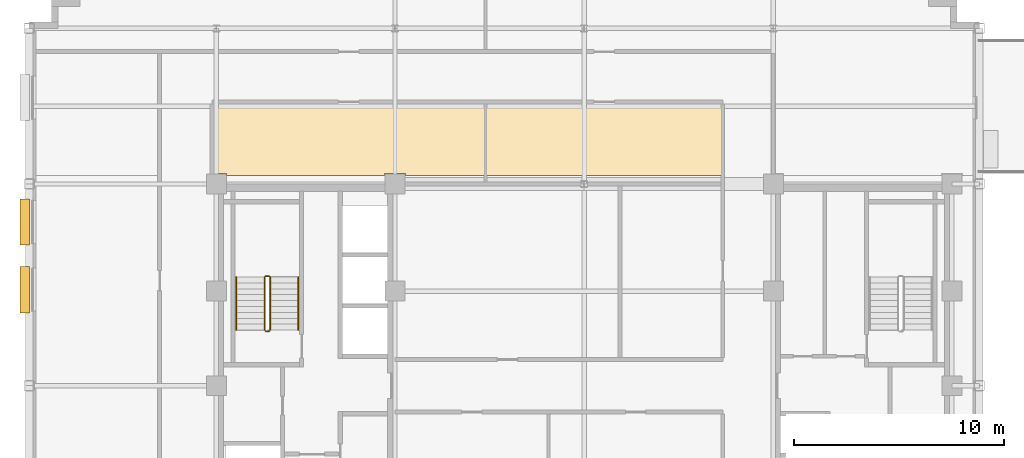
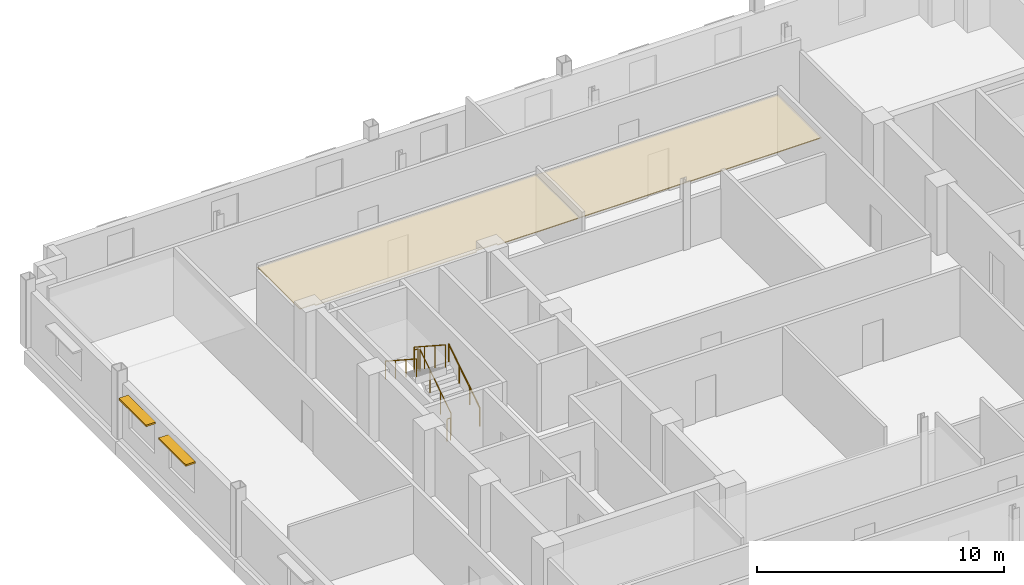
# One storey, part 11 of 13: 6 railings, 2 coverings, 2 shading devices.
"""IFC4 building model written with IfcOpenShell, lengths in metres."""

import ifcopenshell
import ifcopenshell.guid

model = None  # the IFC model being written
_history = None  # IfcOwnerHistory: only IFC2X3 demands one
_inside = {}  # id of a spatial element -> (the spatial element, [elements in it])
_under = {}  # id of a project, library or spatial element -> (it, [spatial elements below it])
_declared = {}  # id of a project -> (the project, [libraries it declares])
_typed = {}  # id of a type object -> (the type object, [elements of that type])
_made_of = {}  # id of a material, layer set ... -> (it, [elements and type objects made of it])


def new_model(schema):
    """Start an empty IFC model of exactly this schema.

    Asked for "IFC4X3", IfcOpenShell would pick the latest addendum, in which some entities
    have other attributes; the version numbers below select the first issue.
    IFC2X3 requires an IfcOwnerHistory on every rooted entity: one is made here for all.
    """
    global model, _history
    if schema == "IFC4X3":
        model = ifcopenshell.file(schema_version=(4, 3, 0, 0))
    else:
        model = ifcopenshell.file(schema=schema)
    _inside.clear()
    _under.clear()
    _declared.clear()
    _typed.clear()
    _made_of.clear()
    _history = None
    if model.schema == "IFC2X3":
        org = make("IfcOrganization", Name="unknown")
        user = make(
            "IfcPersonAndOrganization",
            ThePerson=make("IfcPerson", FamilyName="unknown"),
            TheOrganization=org,
        )
        app = make(
            "IfcApplication",
            ApplicationDeveloper=org,
            Version="unknown",
            ApplicationFullName="unknown",
            ApplicationIdentifier="unknown",
        )
        _history = make(
            "IfcOwnerHistory",
            OwningUser=user,
            OwningApplication=app,
            ChangeAction="ADDED",
            CreationDate=0,
        )
    return model


def make(cls, **values):
    """One entity of the class cls with the attributes given. An attribute that is None is left unset."""
    return model.create_entity(
        cls, **{name: value for name, value in values.items() if value is not None}
    )


def rooted(cls, **values):
    """An entity with a GlobalId (a new one), such as an element, a storey or a relation."""
    return make(cls, GlobalId=ifcopenshell.guid.new(), OwnerHistory=_history, **values)


def si_unit(unit_type, name, prefix=None):
    """IfcSIUnit, for example si_unit("LENGTHUNIT", "METRE", prefix="MILLI")."""
    return make("IfcSIUnit", UnitType=unit_type, Prefix=prefix, Name=name)


def assignment(units):
    """IfcUnitAssignment: the units of a project."""
    return None if units is None else make("IfcUnitAssignment", Units=units)


def point(xyz):
    """IfcCartesianPoint."""
    return None if xyz is None else make("IfcCartesianPoint", Coordinates=xyz)


def direction(xyz):
    """IfcDirection."""
    return None if xyz is None else make("IfcDirection", DirectionRatios=xyz)


def frame(location, z_axis=None, x_axis=None):
    """IfcAxis2Placement3D, a coordinate frame: its origin and axes. An axis left out is left unset."""
    return make(
        "IfcAxis2Placement3D",
        Location=point(location),
        Axis=direction(z_axis),
        RefDirection=direction(x_axis),
    )


def frame_2d(location, x_axis=None):
    """IfcAxis2Placement2D, a coordinate frame in the plane: its origin and x axis."""
    return make(
        "IfcAxis2Placement2D", Location=point(location), RefDirection=direction(x_axis)
    )


def origin():
    """The frame at (0, 0, 0) with its axes left unset."""
    return frame((0.0, 0.0, 0.0))


def origin_2d():
    """The frame at (0, 0) in the plane with its x axis left unset."""
    return frame_2d((0.0, 0.0))


def place(relative_to, where):
    """IfcLocalPlacement: puts the frame where relative to a parent placement (None: the world)."""
    return make(
        "IfcLocalPlacement", PlacementRelTo=relative_to, RelativePlacement=where
    )


def context(
    kind, dimensions, precision=None, world=None, true_north=None, identifier=None
):
    """IfcGeometricRepresentationContext, for example the 3D "Model" context."""
    return make(
        "IfcGeometricRepresentationContext",
        ContextIdentifier=identifier,
        ContextType=kind,
        CoordinateSpaceDimension=dimensions,
        Precision=precision,
        WorldCoordinateSystem=world,
        TrueNorth=true_north,
    )


def subcontext(parent, identifier, kind, view, scale=None):
    """IfcGeometricRepresentationSubContext, for example "Body" below "Model"."""
    return make(
        "IfcGeometricRepresentationSubContext",
        ContextIdentifier=identifier,
        ContextType=kind,
        ParentContext=parent,
        TargetScale=scale,
        TargetView=view,
    )


def project(units=None, contexts=None):
    """IfcProject with its units and contexts."""
    return rooted(
        "IfcProject",
        Name="project",
        RepresentationContexts=contexts,
        UnitsInContext=assignment(units),
    )


def spatial(cls, under=None, at=None, **own):
    """A site, building, storey or space (cls), placed at a placement, below another one or the project."""
    s = rooted(cls, ObjectPlacement=at, **own)
    if under is not None:
        _under.setdefault(under.id(), (under, []))[1].append(s)
    return s


def polyline(points):
    """IfcPolyline through the points."""
    return make("IfcPolyline", Points=[point(p) for p in points])


def profile(cls, at=None, kind="AREA", **sizes):
    """A parametric profile (cls). Its sizes go by their IFC names, for example OverallWidth=200.0."""
    return make(cls, ProfileType=kind, Position=at, **sizes)


def rectangle(**sizes):
    """IfcRectangleProfileDef."""
    return profile("IfcRectangleProfileDef", **sizes)


def circle(**sizes):
    """IfcCircleProfileDef."""
    return profile("IfcCircleProfileDef", **sizes)


def outline(outer, holes=None, kind="AREA"):
    """IfcArbitraryClosedProfileDef: a profile drawn as a closed curve; with holes, ...WithVoids."""
    if holes is None:
        return make("IfcArbitraryClosedProfileDef", ProfileType=kind, OuterCurve=outer)
    return make(
        "IfcArbitraryProfileDefWithVoids",
        ProfileType=kind,
        OuterCurve=outer,
        InnerCurves=holes,
    )


def extrude(swept, where, along, depth):
    """IfcExtrudedAreaSolid: the profile swept, set in the frame where, extruded along a direction by depth."""
    return make(
        "IfcExtrudedAreaSolid",
        SweptArea=swept,
        Position=where,
        ExtrudedDirection=direction(along),
        Depth=depth,
    )


def shape(context_of_items, identifier, shape_type, items):
    """IfcShapeRepresentation: the items that make up one representation, for example the "Body"."""
    return make(
        "IfcShapeRepresentation",
        ContextOfItems=context_of_items,
        RepresentationIdentifier=identifier,
        RepresentationType=shape_type,
        Items=items,
    )


def source(mapping_origin, context_of_items, identifier, shape_type, items):
    """IfcRepresentationMap: a shape defined once, which mapped items show again and again."""
    return make(
        "IfcRepresentationMap",
        MappingOrigin=mapping_origin,
        MappedRepresentation=shape(context_of_items, identifier, shape_type, items),
    )


def transform(
    local_origin,
    x_axis=None,
    y_axis=None,
    z_axis=None,
    scale=None,
    scale2=None,
    scale3=None,
    uniform=True,
):
    """IfcCartesianTransformationOperator3D, or its non-uniform kind. x_axis, y_axis, z_axis: its Axis1, 2, 3."""
    if uniform:
        return make(
            "IfcCartesianTransformationOperator3D",
            Axis1=direction(x_axis),
            Axis2=direction(y_axis),
            LocalOrigin=point(local_origin),
            Scale=scale,
            Axis3=direction(z_axis),
        )
    return make(
        "IfcCartesianTransformationOperator3DnonUniform",
        Axis1=direction(x_axis),
        Axis2=direction(y_axis),
        LocalOrigin=point(local_origin),
        Scale=scale,
        Axis3=direction(z_axis),
        Scale2=scale2,
        Scale3=scale3,
    )


def mapped(mapping_source, mapping_target):
    """IfcMappedItem: shows the shape of a source again, moved by a transform."""
    return make(
        "IfcMappedItem", MappingSource=mapping_source, MappingTarget=mapping_target
    )


def material(Name=None, Category=None):
    """IfcMaterial."""
    return make("IfcMaterial", Name=Name, Category=Category)


def layer(
    of_material, thickness, ventilated=None, Name=None, Category=None, Priority=None
):
    """IfcMaterialLayer: one layer of a wall or slab, of a material (None: an air gap)."""
    return make(
        "IfcMaterialLayer",
        Material=of_material,
        LayerThickness=thickness,
        IsVentilated=ventilated,
        Name=Name,
        Category=Category,
        Priority=Priority,
    )


def layer_set(layers, Name=None):
    """IfcMaterialLayerSet."""
    return make("IfcMaterialLayerSet", MaterialLayers=layers, LayerSetName=Name)


def made_of(thing, what):
    """Note that an element or type object is made of a material, layer set ...; save() writes the relation."""
    if what is not None:
        _made_of.setdefault(what.id(), (what, []))[1].append(thing)
    return thing


def type_object(cls, material=None, **own):
    """A type object (cls), such as IfcWallType, which elements share."""
    return made_of(rooted(cls, **own), material)


def type_shapes(of_type, sources):
    """Give a type object the sources (RepresentationMaps) that its elements show as mapped items."""
    of_type.RepresentationMaps = sources


def element(
    cls,
    number,
    at=None,
    inside=None,
    cuts=None,
    type_object=None,
    material=None,
    context=None,
    identifier="Body",
    shape_type=None,
    held_by="IfcProductDefinitionShape",
    body=None,
    shapes=None,
    **own,
):
    """One element of the class cls, such as IfcWall. Its Tag is "e" and its number.

    at: its placement. inside: the storey or other place that contains it. cuts: it is an
    opening in that element (IfcRelVoidsElement). A single representation is given by context,
    identifier, shape_type and body (its items); several are given by shapes. held_by: the class
    of the entity that holds the representations. save() writes the other relations.
    """
    e = rooted(cls, Tag="e%d" % number, ObjectPlacement=at, **own)
    if body is not None:
        shapes = [shape(context, identifier, shape_type, body)]
    if shapes is not None:
        e.Representation = make(held_by, Representations=shapes)
    if inside is not None:
        _inside.setdefault(inside.id(), (inside, []))[1].append(e)
    if cuts is not None:
        rooted(
            "IfcRelVoidsElement", RelatingBuildingElement=cuts, RelatedOpeningElement=e
        )
    if type_object is not None:
        _typed.setdefault(type_object.id(), (type_object, []))[1].append(e)
    return made_of(e, material)


def aggregate(whole, parts):
    """IfcRelAggregates: a whole, such as a stair, and the parts it consists of."""
    return rooted("IfcRelAggregates", RelatingObject=whole, RelatedObjects=parts)


def save(model, path):
    """Write the relations noted so far, then the file.

    IfcRelAggregates (storeys below a building ...), IfcRelContainedInSpatialStructure (elements
    in a storey), IfcRelDefinesByType, IfcRelAssociatesMaterial and IfcRelDeclares: one each for
    every whole, place, type object, material and project.
    """
    for whole, parts in _under.values():
        aggregate(whole, parts)
    for where, things in _inside.values():
        rooted(
            "IfcRelContainedInSpatialStructure",
            RelatedElements=things,
            RelatingStructure=where,
        )
    for kind, things in _typed.values():
        rooted("IfcRelDefinesByType", RelatedObjects=things, RelatingType=kind)
    for what, things in _made_of.values():
        rooted("IfcRelAssociatesMaterial", RelatedObjects=things, RelatingMaterial=what)
    for by, libraries in _declared.values():
        rooted("IfcRelDeclares", RelatingContext=by, RelatedDefinitions=libraries)
    model.write(path)


model = new_model("IFC4")

# Units and contexts
model_context = context("Model", 3, precision=1e-05, world=origin(), true_north=direction((0.0, 1.0)))
body_context = subcontext(model_context, "Body", "Model", "MODEL_VIEW")
ifc_project = project(units=[si_unit("LENGTHUNIT", "METRE"), si_unit("AREAUNIT", "SQUARE_METRE"), si_unit("VOLUMEUNIT", "CUBIC_METRE"), si_unit("PLANEANGLEUNIT", "RADIAN"), si_unit("MASSUNIT", "GRAM", prefix="KILO")], contexts=[model_context])

# Site, building, storey
site_placement = place(None, origin())
site = spatial("IfcSite", under=ifc_project, at=site_placement, CompositionType="ELEMENT")
building_placement = place(site_placement, origin())
building = spatial("IfcBuilding", under=site, at=building_placement, Name="Nuvemarco Arch Tower", CompositionType="ELEMENT")
storey_placement = place(building_placement, frame((0.0, 0.0, 220.10009765625)))
storey = spatial("IfcBuildingStorey", under=building, at=storey_placement, Name="L58", CompositionType="ELEMENT", Elevation=220.10009765625)

# Coverings
ifc_material_1 = material(Name="Mineral acoustic ceiling tile")
ifc_layer = layer(ifc_material_1, 0.0400390625, Name="COV-ACOUSTIC-CLG")
ifc_layer_set = layer_set([ifc_layer], Name="Mineral acoustic ceiling tile")
covering_type = type_object("IfcCoveringType", Name="COV-ACOUSTIC-CLG", PredefinedType="CEILING", material=ifc_layer_set)
covering_1_placement = place(storey_placement, frame((0.0, 0.0, 2.849853515625)))
element("IfcCovering", 1, at=covering_1_placement, inside=storey, type_object=covering_type, Name="L58 suspended acoustic ceiling 5", PredefinedType="CEILING", context=body_context, shape_type="SweptSolid", body=[
    extrude(outline(polyline([(-4.68994140625, 13.5), (-4.68994140625, 10.0), (-8.510009765625, 10.0), (-8.510009765625, 10.090087890625), (-9.489990234375, 10.090087890625), (-9.489990234375, 10.0), (-17.010009765625, 10.0), (-17.010009765625, 10.090087890625), (-17.699951171875, 10.090087890625), (-17.699951171875, 13.5), (-4.68994140625, 13.5)])), origin(), (0.0, 0.0, 1.0), 0.0400390625),
])
covering_2_placement = place(storey_placement, frame((0.0, 0.0, 2.849853515625)))
element("IfcCovering", 2, at=covering_2_placement, inside=storey, type_object=covering_type, Name="L58 suspended acoustic ceiling 7", PredefinedType="CEILING", context=body_context, shape_type="SweptSolid", body=[
    extrude(outline(polyline([(-4.68994140625, 13.5), (6.60009765625, 13.5), (6.60009765625, 10.0), (-4.68994140625, 10.0), (-4.68994140625, 13.5)])), origin(), (0.0, 0.0, 1.0), 0.0400390625),
])

# Railings
ifc_material_2 = material(Name="Brushed stainless steel handrail", Category="steel")
railing_type_1 = type_object("IfcRailingType", Name="RL-HANDRAIL-900", PredefinedType="HANDRAIL", material=ifc_material_2)
railing_1_placement = place(storey_placement, frame((-13.590087890625, 2.64990234375, 0.182373046875)))
element("IfcRailing", 3, at=railing_1_placement, inside=storey, type_object=railing_type_1, Name="L58 ST-1 stair handrail 1", PredefinedType="HANDRAIL", context=body_context, shape_type="SweptSolid", body=[
    extrude(circle(Radius=0.02392578125, at=origin_2d()), frame((0.0, 0.0, 0.8759765625), z_axis=(0.0, 0.837749427056, 0.546054848405), x_axis=(-1.0, 0.0, 0.0)), (0.0, 0.0, 1.0), 3.008056640625),
    extrude(circle(Radius=0.02099609375, at=origin_2d()), origin(), (0.0, 0.0, 1.0), 0.851806640625),
    extrude(circle(Radius=0.02099609375, at=origin_2d()), frame((0.0, 0.840087890625, 0.547607421875)), (0.0, 0.0, 1.0), 0.851806640625),
    extrude(circle(Radius=0.02099609375, at=origin_2d()), frame((0.0, 1.679931640625, 1.094970703125)), (0.0, 0.0, 1.0), 0.851806640625),
    extrude(circle(Radius=0.02099609375, at=origin_2d()), frame((0.0, 2.52001953125, 1.642578125)), (0.0, 0.0, 1.0), 0.851806640625),
])
railing_2_placement = place(storey_placement, frame((-16.550048828125, 5.169921875, 2.00732421875)))
element("IfcRailing", 4, at=railing_2_placement, inside=storey, type_object=railing_type_1, Name="L58 ST-1 stair handrail 2", PredefinedType="HANDRAIL", context=body_context, shape_type="SweptSolid", body=[
    extrude(circle(Radius=0.02392578125, at=origin_2d()), frame((0.0, 0.0, 0.8759765625), z_axis=(0.0, -0.837749427056, 0.546054848405), x_axis=(1.0, 0.0, 0.0)), (0.0, 0.0, 1.0), 3.008056640625),
    extrude(circle(Radius=0.02099609375, at=origin_2d()), origin(), (0.0, 0.0, 1.0), 0.851806640625),
    extrude(circle(Radius=0.02099609375, at=origin_2d()), frame((0.0, -0.840087890625, 0.547607421875)), (0.0, 0.0, 1.0), 0.851806640625),
    extrude(circle(Radius=0.02099609375, at=origin_2d()), frame((0.0, -1.679931640625, 1.094970703125)), (0.0, 0.0, 1.0), 0.851806640625),
    extrude(circle(Radius=0.02099609375, at=origin_2d()), frame((0.0, -2.52001953125, 1.642578125)), (0.0, 0.0, 1.0), 0.851806640625),
])
ifc_material_3 = material(Name="Painted balustrade steel S355", Category="steel")
railing_type_2 = type_object("IfcRailingType", Name="RL-STAIR-GUARD", PredefinedType="GUARDRAIL", material=ifc_material_3)
railing_3_placement = place(storey_placement, frame((-14.93994140625, 2.64990234375, 0.182373046875)))
element("IfcRailing", 5, at=railing_3_placement, inside=storey, type_object=railing_type_2, Name="L58 ST-1 stair guard 1", PredefinedType="GUARDRAIL", context=body_context, shape_type="SweptSolid", body=[
    extrude(circle(Radius=0.02392578125, at=origin_2d()), frame((0.0, 0.0, 1.09619140625), z_axis=(0.0, 0.837749427056, 0.546054848405), x_axis=(-1.0, 0.0, 0.0)), (0.0, 0.0, 1.0), 3.008056640625),
    extrude(circle(Radius=0.02099609375, at=origin_2d()), origin(), (0.0, 0.0, 1.0), 1.072021484375),
    extrude(circle(Radius=0.02099609375, at=origin_2d()), frame((0.0, 0.840087890625, 0.547607421875)), (0.0, 0.0, 1.0), 1.072021484375),
    extrude(circle(Radius=0.02099609375, at=origin_2d()), frame((0.0, 1.679931640625, 1.094970703125)), (0.0, 0.0, 1.0), 1.072021484375),
    extrude(circle(Radius=0.02099609375, at=origin_2d()), frame((0.0, 2.52001953125, 1.642578125)), (0.0, 0.0, 1.0), 1.072021484375),
])
railing_4_placement = place(storey_placement, frame((-14.989990234375, 5.219970703125, 1.824951171875)))
element("IfcRailing", 6, at=railing_4_placement, inside=storey, type_object=railing_type_2, Name="L58 ST-1 stair guard 2", PredefinedType="GUARDRAIL", context=body_context, shape_type="SweptSolid", body=[
    extrude(circle(Radius=0.02392578125, at=origin_2d()), frame((0.0, 0.0, 1.09619140625), z_axis=(-1.0, 0.0, 0.0), x_axis=(0.0, -1.0, 0.0)), (0.0, 0.0, 1.0), 0.159912109375),
    extrude(circle(Radius=0.02099609375, at=origin_2d()), origin(), (0.0, 0.0, 1.0), 1.072021484375),
    extrude(circle(Radius=0.02099609375, at=origin_2d()), frame((-0.159912109375, 0.0, 0.0)), (0.0, 0.0, 1.0), 1.072021484375),
])
railing_5_placement = place(storey_placement, frame((-15.199951171875, 5.169921875, 2.00732421875)))
element("IfcRailing", 7, at=railing_5_placement, inside=storey, type_object=railing_type_2, Name="L58 ST-1 stair guard 3", PredefinedType="GUARDRAIL", context=body_context, shape_type="SweptSolid", body=[
    extrude(circle(Radius=0.02392578125, at=origin_2d()), frame((0.0, 0.0, 1.09619140625), z_axis=(0.0, -0.837749427056, 0.546054848405), x_axis=(1.0, 0.0, 0.0)), (0.0, 0.0, 1.0), 3.008056640625),
    extrude(circle(Radius=0.02099609375, at=origin_2d()), origin(), (0.0, 0.0, 1.0), 1.072021484375),
    extrude(circle(Radius=0.02099609375, at=origin_2d()), frame((0.0, -0.840087890625, 0.547607421875)), (0.0, 0.0, 1.0), 1.072021484375),
    extrude(circle(Radius=0.02099609375, at=origin_2d()), frame((0.0, -1.679931640625, 1.094970703125)), (0.0, 0.0, 1.0), 1.072021484375),
    extrude(circle(Radius=0.02099609375, at=origin_2d()), frame((0.0, -2.52001953125, 1.642578125)), (0.0, 0.0, 1.0), 1.072021484375),
])
railing_6_placement = place(storey_placement, frame((-14.989990234375, 2.60009765625, 0.0)))
element("IfcRailing", 8, at=railing_6_placement, inside=storey, type_object=railing_type_2, Name="L58 ST-1 stair guard 4", PredefinedType="GUARDRAIL", context=body_context, shape_type="SweptSolid", body=[
    extrude(circle(Radius=0.02392578125, at=origin_2d()), frame((0.0, 0.0, 1.09619140625), z_axis=(-1.0, 0.0, 0.0), x_axis=(0.0, -1.0, 0.0)), (0.0, 0.0, 1.0), 0.159912109375),
    extrude(circle(Radius=0.02099609375, at=origin_2d()), origin(), (0.0, 0.0, 1.0), 1.072021484375),
    extrude(circle(Radius=0.02099609375, at=origin_2d()), frame((-0.159912109375, 0.0, 0.0)), (0.0, 0.0, 1.0), 1.072021484375),
])

# Shading devices
ifc_material_4 = material(Name="Anodised aluminium 6063-T6", Category="aluminium")
shading_device_type = type_object("IfcShadingDeviceType", Name="SHD-BRISE-SOLEIL", PredefinedType="USERDEFINED", material=ifc_material_4)
shared_shape = source(origin(), body_context, "Body", "SweptSolid", [
    extrude(rectangle(XDim=2.199951171875, YDim=0.449951171875, at=origin_2d()), origin(), (0.0, 0.0, 1.0), 0.080078125),
])
type_shapes(shading_device_type, [shared_shape])
for number, where, z_axis, x_axis, name in (
    (9, (-26.614990234375, 4.569580078125, 2.324951171875), (0.0, 0.0, 1.0), (0.0, 1.0, 0.0), "L58 horizontal brise-soleil sunshade"),
    (10, (-26.614990234375, 7.789306640625, 2.324951171875), (0.0, 0.0, 1.0), (0.0, 1.0, 0.0), "L58 horizontal brise-soleil sunshade"),
):
    element("IfcShadingDevice", number, at=place(storey_placement, frame(where, z_axis=z_axis, x_axis=x_axis)), inside=storey, type_object=shading_device_type, Name=name, ObjectType="SUNSHADE", PredefinedType="USERDEFINED", context=body_context, shape_type="MappedRepresentation", body=[
        mapped(shared_shape, transform((0.0, 0.0, 0.0), scale=1.0)),
    ])

save(model, "model.ifc")
